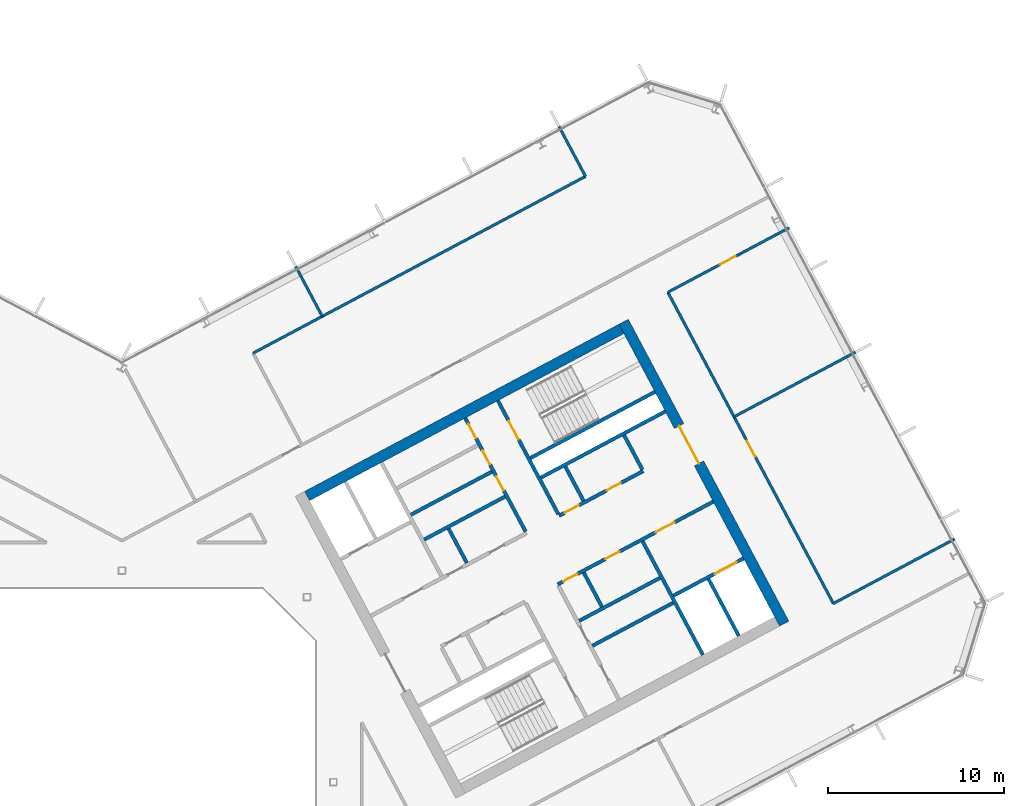
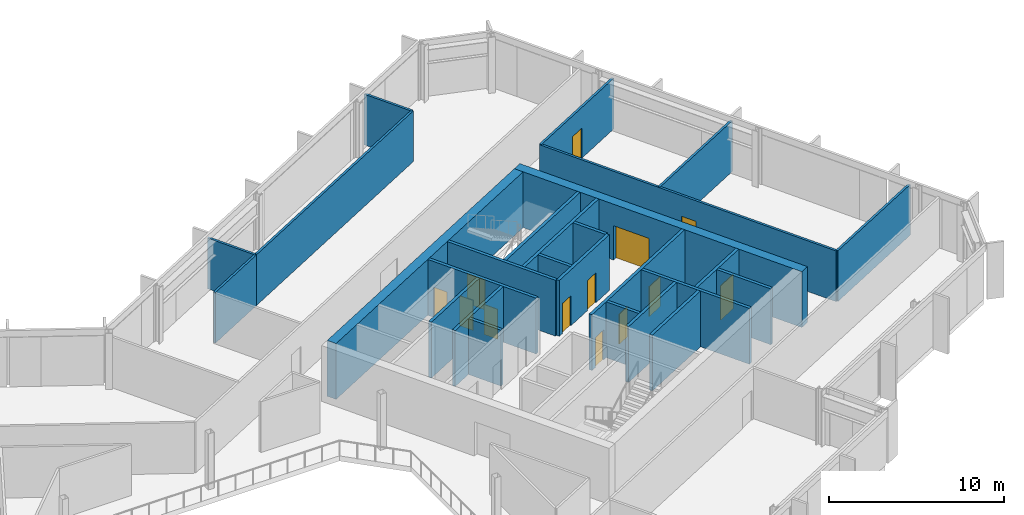
# One storey, part 17 of 27: 27 walls, 13 doors, 13 openings.
"""IFC4 building model written with IfcOpenShell, lengths in metres."""

from ifc_helpers import new_model, si_unit, direction, frame, frame_2d, origin, place, context, subcontext, project, spatial, rectangle, extrude, material, layer, layer_set, type_object, element, fill, save


model = new_model("IFC4")

# Units and contexts
model_context = context("Model", 3, precision=1e-05, world=origin(), true_north=direction((0.0, 1.0)))
body_context = subcontext(model_context, "Body", "Model", "MODEL_VIEW")
ifc_project = project(units=[si_unit("LENGTHUNIT", "METRE"), si_unit("AREAUNIT", "SQUARE_METRE"), si_unit("VOLUMEUNIT", "CUBIC_METRE"), si_unit("PLANEANGLEUNIT", "RADIAN"), si_unit("MASSUNIT", "GRAM", prefix="KILO")], contexts=[model_context])

# Site, building, storey
site_placement = place(None, origin())
site = spatial("IfcSite", under=ifc_project, at=site_placement, CompositionType="ELEMENT")
building_placement = place(site_placement, origin())
building = spatial("IfcBuilding", under=site, at=building_placement, Name="Cormorant Relay Tower", CompositionType="ELEMENT")
storey_placement = place(building_placement, frame((0.0, 0.0, 216.89990234375)))
storey = spatial("IfcBuildingStorey", under=building, at=storey_placement, Name="L47", CompositionType="ELEMENT", Elevation=216.89990234375)

# Walls
ifc_material_1 = material(Name="Concrete 40 MPa", Category="concrete")
ifc_layer_1 = layer(ifc_material_1, 0.199951171875)
ifc_layer_set_1 = layer_set([ifc_layer_1], Name="Core internal wall 200")
wall_type_1 = type_object("IfcWallType", Name="Core internal wall 200", PredefinedType="SOLIDWALL", material=ifc_layer_set_1)
for number, where, z_axis, x_axis, name in (
    (1, (19.568603515625, 12.443603515625, 0.0), (0.0, 0.0, 1.0), (-0.4694473164, 0.882960484464, 0.0), "L47 core B shaft and room wall"),
    (2, (27.236083984375, 9.951416015625, 0.0), (0.0, 0.0, 1.0), (-0.4694473164, 0.882960484464, 0.0), "L47 core B shaft and room wall"),
    (3, (26.19091796875, 15.964599609375, 0.0), (0.0, 0.0, 1.0), (-0.469533832133, 0.882914480843, 0.0), "L47 core B shaft and room wall"),
):
    element("IfcWall", number, at=place(storey_placement, frame(where, z_axis=z_axis, x_axis=x_axis)), inside=storey, type_object=wall_type_1, Name=name, PredefinedType="SOLIDWALL", context=body_context, shape_type="SweptSolid", body=[
        extrude(rectangle(XDim=2.199951171875, YDim=0.199951171875, at=frame_2d((1.10009765625, 0.0))), origin(), (0.0, 0.0, 1.0), 3.900146484375),
    ])
for number, where, z_axis, x_axis, name in (
    (4, (26.692138671875, 7.73681640625, 0.0), (0.0, 0.0, 1.0), (0.882953967957, 0.469459572775, 0.0), "L47 core B shaft and room wall"),
    (5, (16.395751953125, 15.17333984375, 0.0), (0.0, 0.0, 1.0), (0.882934506056, 0.469496174655, 0.0), "L47 core B shaft and room wall"),
):
    element("IfcWall", number, at=place(storey_placement, frame(where, z_axis=z_axis, x_axis=x_axis)), inside=storey, type_object=wall_type_1, Name=name, PredefinedType="SOLIDWALL", context=body_context, shape_type="SweptSolid", body=[
        extrude(rectangle(XDim=5.199951171875, YDim=0.199951171875, at=frame_2d((2.60009765625, 0.0))), origin(), (0.0, 0.0, 1.0), 3.900146484375),
    ])

# Wall, openings, doors
ifc_material_2 = material(Name="Concrete 50 MPa", Category="concrete")
ifc_layer_2 = layer(ifc_material_2, 0.199951171875)
ifc_layer_set_2 = layer_set([ifc_layer_2], Name="Core shaft wall 200")
wall_type_2 = type_object("IfcWallType", Name="Core shaft wall 200", PredefinedType="SHEAR", material=ifc_layer_set_2)
wall_1_placement = place(storey_placement, frame((22.90625, 14.218017578125, 0.0), z_axis=(0.0, 0.0, 1.0), x_axis=(-0.469480409012, 0.88294288918, 0.0)))
wall_1 = element("IfcWall", 6, at=wall_1_placement, inside=storey, type_object=wall_type_2, Name="L47 core B shaft wall", PredefinedType="SHEAR", context=body_context, shape_type="SweptSolid", body=[
    extrude(rectangle(XDim=7.300048828125, YDim=0.199951171875, at=frame_2d((3.64990234375, 0.0))), origin(), (0.0, 0.0, 1.0), 3.900146484375),
])
opening_1_placement = place(wall_1_placement, frame((2.64990234375, 0.0, 0.0)))
opening_1 = element("IfcOpeningElement", 7, at=opening_1_placement, cuts=wall_1, Name="Opening CDD-274", PredefinedType="OPENING", context=body_context, shape_type="SweptSolid", body=[
    extrude(rectangle(XDim=0.89990234375, YDim=2.10009765625, at=frame_2d((0.449951171875, 1.050048828125))), frame((0.0, 0.10986328125, 0.0), z_axis=(0.0, -1.0, 0.0), x_axis=(1.0, 0.0, 0.0)), (0.0, 0.0, 1.0), 0.219970703125),
])
opening_2_placement = place(wall_1_placement, frame((4.300048828125, 0.0, 0.0)))
opening_2 = element("IfcOpeningElement", 8, at=opening_2_placement, cuts=wall_1, Name="Opening CDD-275", PredefinedType="OPENING", context=body_context, shape_type="SweptSolid", body=[
    extrude(rectangle(XDim=0.89990234375, YDim=2.10009765625, at=frame_2d((0.449951171875, 1.050048828125))), frame((0.0, 0.10986328125, 0.0), z_axis=(0.0, -1.0, 0.0), x_axis=(1.0, 0.0, 0.0)), (0.0, 0.0, 1.0), 0.219970703125),
])
opening_3_placement = place(wall_1_placement, frame((6.0, 0.0, 0.0)))
opening_3 = element("IfcOpeningElement", 9, at=opening_3_placement, cuts=wall_1, Name="Opening CDD-276", PredefinedType="OPENING", context=body_context, shape_type="SweptSolid", body=[
    extrude(rectangle(XDim=0.89990234375, YDim=2.10009765625, at=frame_2d((0.449951171875, 1.050048828125))), frame((0.0, 0.10986328125, 0.0), z_axis=(0.0, -1.0, 0.0), x_axis=(1.0, 0.0, 0.0)), (0.0, 0.0, 1.0), 0.219970703125),
])
ifc_material_3 = material(Name="Steel fire door", Category="steel")
door_type_1 = type_object("IfcDoorType", Name="Core room door 900x2100", OperationType="SINGLE_SWING_LEFT", PredefinedType="DOOR", material=ifc_material_3)
door_1_placement = place(opening_1_placement, frame((0.89990234375, 0.0, 0.0), z_axis=(0.0, 0.0, 1.0), x_axis=(-1.0, 0.0, 0.0)))
door_1 = element("IfcDoor", 10, at=door_1_placement, inside=storey, type_object=door_type_1, Name="Core room door 900x2100", OperationType="SINGLE_SWING_LEFT", OverallHeight=2.10009765625, OverallWidth=0.89990234375, PredefinedType="DOOR", context=body_context, shape_type="SweptSolid", body=[
    extrude(rectangle(XDim=0.89990234375, YDim=2.10009765625, at=frame_2d((0.449951171875, 1.050048828125))), frame((0.0, 0.02490234375, 0.0), z_axis=(0.0, -1.0, 0.0), x_axis=(1.0, 0.0, 0.0)), (0.0, 0.0, 1.0), 0.050048828125),
])
fill(opening_1, door_1)
door_2_placement = place(opening_2_placement, frame((0.89990234375, 0.0, 0.0), z_axis=(0.0, 0.0, 1.0), x_axis=(-1.0, 0.0, 0.0)))
door_2 = element("IfcDoor", 11, at=door_2_placement, inside=storey, type_object=door_type_1, Name="Core room door 900x2100", OperationType="SINGLE_SWING_RIGHT", OverallHeight=2.10009765625, OverallWidth=0.89990234375, PredefinedType="DOOR", context=body_context, shape_type="SweptSolid", body=[
    extrude(rectangle(XDim=0.89990234375, YDim=2.10009765625, at=frame_2d((0.449951171875, 1.050048828125))), frame((0.0, 0.02490234375, 0.0), z_axis=(0.0, -1.0, 0.0), x_axis=(1.0, 0.0, 0.0)), (0.0, 0.0, 1.0), 0.050048828125),
])
fill(opening_2, door_2)
door_3_placement = place(opening_3_placement, frame((0.89990234375, 0.0, 0.0), z_axis=(0.0, 0.0, 1.0), x_axis=(-1.0, 0.0, 0.0)))
door_3 = element("IfcDoor", 12, at=door_3_placement, inside=storey, type_object=door_type_1, Name="Core room door 900x2100", OperationType="SINGLE_SWING_LEFT", OverallHeight=2.10009765625, OverallWidth=0.89990234375, PredefinedType="DOOR", context=body_context, shape_type="SweptSolid", body=[
    extrude(rectangle(XDim=0.89990234375, YDim=2.10009765625, at=frame_2d((0.449951171875, 1.050048828125))), frame((0.0, 0.02490234375, 0.0), z_axis=(0.0, -1.0, 0.0), x_axis=(1.0, 0.0, 0.0)), (0.0, 0.0, 1.0), 0.050048828125),
])
fill(opening_3, door_3)

# Wall, opening, door
wall_2_placement = place(storey_placement, frame((24.760498046875, 15.2041015625, 0.0), z_axis=(0.0, 0.0, 1.0), x_axis=(-0.469494272526, 0.882935517501, 0.0)))
wall_2 = element("IfcWall", 13, at=wall_2_placement, inside=storey, type_object=wall_type_2, Name="L47 core B shaft wall", PredefinedType="SHEAR", context=body_context, shape_type="SweptSolid", body=[
    extrude(rectangle(XDim=7.2998046875, YDim=0.199951171875, at=frame_2d((3.64990234375, 0.0))), origin(), (0.0, 0.0, 1.0), 3.900146484375),
])
opening_4_placement = place(wall_2_placement, frame((4.800048828125, 0.0, 0.0)))
opening_4 = element("IfcOpeningElement", 14, at=opening_4_placement, cuts=wall_2, Name="Opening CDB-041", PredefinedType="OPENING", context=body_context, shape_type="SweptSolid", body=[
    extrude(rectangle(XDim=1.199951171875, YDim=2.10009765625, at=frame_2d((0.60009765625, 1.050048828125))), frame((0.0, 0.10986328125, 0.0), z_axis=(0.0, -1.0, 0.0), x_axis=(1.0, 0.0, 0.0)), (0.0, 0.0, 1.0), 0.219970703125),
])
ifc_material_4 = material(Name="Steel fire door", Category="steel")
door_type_2 = type_object("IfcDoorType", Name="Core stair door 1200x2100", OperationType="SINGLE_SWING_LEFT", PredefinedType="DOOR", material=ifc_material_4)
door_4_placement = place(opening_4_placement, frame((1.199951171875, 0.0, 0.0), z_axis=(0.0, 0.0, 1.0), x_axis=(-1.0, 0.0, 0.0)))
door_4 = element("IfcDoor", 15, at=door_4_placement, inside=storey, type_object=door_type_2, Name="Core stair door 1200x2100", OperationType="SINGLE_SWING_RIGHT", OverallHeight=2.10009765625, OverallWidth=1.199951171875, PredefinedType="DOOR", context=body_context, shape_type="SweptSolid", body=[
    extrude(rectangle(XDim=1.199951171875, YDim=2.10009765625, at=frame_2d((0.60009765625, 1.050048828125))), frame((0.0, 0.02490234375, 0.0), z_axis=(0.0, -1.0, 0.0), x_axis=(1.0, 0.0, 0.0)), (0.0, 0.0, 1.0), 0.050048828125),
])
fill(opening_4, door_4)

# Walls
wall_3_placement = place(storey_placement, frame((32.968017578125, 7.222900390625, 0.0), z_axis=(0.0, 0.0, 1.0), x_axis=(-0.469480409012, 0.88294288918, 0.0)))
element("IfcWall", 16, at=wall_3_placement, inside=storey, type_object=wall_type_2, Name="L47 core B shaft wall", PredefinedType="SHEAR", context=body_context, shape_type="SweptSolid", body=[
    extrude(rectangle(XDim=7.300048828125, YDim=0.199951171875, at=frame_2d((3.64990234375, 0.0))), origin(), (0.0, 0.0, 1.0), 3.900146484375),
])
wall_4_placement = place(storey_placement, frame((29.5283203125, 17.739013671875, 0.0), z_axis=(0.0, 0.0, 1.0), x_axis=(-0.469401318492, 0.882984938828, 0.0)))
element("IfcWall", 17, at=wall_4_placement, inside=storey, type_object=wall_type_2, Name="L47 core B shaft wall", PredefinedType="SHEAR", context=body_context, shape_type="SweptSolid", body=[
    extrude(rectangle(XDim=2.199951171875, YDim=0.199951171875, at=frame_2d((1.10009765625, 0.0))), origin(), (0.0, 0.0, 1.0), 3.900146484375),
])
wall_5_placement = place(storey_placement, frame((34.998779296875, 8.302734375, 0.0), z_axis=(0.0, 0.0, 1.0), x_axis=(-0.4694665462, 0.882950260207, 0.0)))
element("IfcWall", 18, at=wall_5_placement, inside=storey, type_object=wall_type_2, Name="L47 core B shaft wall", PredefinedType="SHEAR", context=body_context, shape_type="SweptSolid", body=[
    extrude(rectangle(XDim=3.650146484375, YDim=0.199951171875, at=frame_2d((1.8251953125, 0.0))), origin(), (0.0, 0.0, 1.0), 3.900146484375),
])

# Wall, opening, door
wall_6_placement = place(storey_placement, frame((31.295654296875, 10.5810546875, 0.0), z_axis=(0.0, 0.0, 1.0), x_axis=(0.882960433586, 0.469447412093, 0.0)))
wall_6 = element("IfcWall", 19, at=wall_6_placement, inside=storey, type_object=wall_type_2, Name="L47 core B shaft wall", PredefinedType="SHEAR", context=body_context, shape_type="SweptSolid", body=[
    extrude(rectangle(XDim=4.5, YDim=0.199951171875, at=frame_2d((2.25, 0.0))), origin(), (0.0, 0.0, 1.0), 3.900146484375),
])
opening_5_placement = place(wall_6_placement, frame((2.64990234375, 0.0, 0.0)))
opening_5 = element("IfcOpeningElement", 20, at=opening_5_placement, cuts=wall_6, Name="Opening LD3-016", PredefinedType="OPENING", context=body_context, shape_type="SweptSolid", body=[
    extrude(rectangle(XDim=1.39990234375, YDim=2.39990234375, at=frame_2d((0.699951171875, 1.199951171875))), frame((0.0, 0.10986328125, 0.0), z_axis=(0.0, -1.0, 0.0), x_axis=(1.0, 0.0, 0.0)), (0.0, 0.0, 1.0), 0.219970703125),
])
ifc_material_5 = material(Name="Stainless steel 316", Category="steel")
door_type_3 = type_object("IfcDoorType", Name="Lift landing door 1400x2400", OperationType="DOUBLE_DOOR_SLIDING", PredefinedType="DOOR", material=ifc_material_5)
door_5_placement = place(opening_5_placement, origin())
door_5 = element("IfcDoor", 21, at=door_5_placement, inside=storey, type_object=door_type_3, Name="SV2 landing door", OperationType="DOUBLE_DOOR_SLIDING", OverallHeight=2.39990234375, OverallWidth=1.39990234375, PredefinedType="DOOR", context=body_context, shape_type="SweptSolid", body=[
    extrude(rectangle(XDim=1.39990234375, YDim=2.39990234375, at=frame_2d((0.699951171875, 1.199951171875))), frame((0.0, 0.02490234375, 0.0), z_axis=(0.0, -1.0, 0.0), x_axis=(1.0, 0.0, 0.0)), (0.0, 0.0, 1.0), 0.050048828125),
])
fill(opening_5, door_5)

# Wall
wall_7_placement = place(storey_placement, frame((25.94091796875, 9.149658203125, 0.0), z_axis=(0.0, 0.0, 1.0), x_axis=(0.882953967957, 0.469459572775, 0.0)))
element("IfcWall", 22, at=wall_7_placement, inside=storey, type_object=wall_type_2, Name="L47 core B shaft wall", PredefinedType="SHEAR", context=body_context, shape_type="SweptSolid", body=[
    extrude(rectangle(XDim=5.199951171875, YDim=0.199951171875, at=frame_2d((2.60009765625, 0.0))), origin(), (0.0, 0.0, 1.0), 3.900146484375),
])

# Wall, openings, doors
wall_8_placement = place(storey_placement, frame((24.72607421875, 11.2216796875, 0.0), z_axis=(0.0, 0.0, 1.0), x_axis=(0.882940221191, 0.469485426614, 0.0)))
wall_8 = element("IfcWall", 23, at=wall_8_placement, inside=storey, type_object=wall_type_2, Name="L47 core B shaft wall", PredefinedType="SHEAR", context=body_context, shape_type="SweptSolid", body=[
    extrude(rectangle(XDim=10.0, YDim=0.199951171875, at=frame_2d((5.0, 0.0))), origin(), (0.0, 0.0, 1.0), 3.900146484375),
])
opening_6_placement = place(wall_8_placement, frame((6.300048828125, 0.0, 0.0)))
opening_6 = element("IfcOpeningElement", 24, at=opening_6_placement, cuts=wall_8, Name="Opening CDC-036", PredefinedType="OPENING", context=body_context, shape_type="SweptSolid", body=[
    extrude(rectangle(XDim=1.199951171875, YDim=2.10009765625, at=frame_2d((0.60009765625, 1.050048828125))), frame((0.0, 0.10986328125, 0.0), z_axis=(0.0, -1.0, 0.0), x_axis=(1.0, 0.0, 0.0)), (0.0, 0.0, 1.0), 0.219970703125),
])
opening_7_placement = place(wall_8_placement, frame((0.360107421875, 0.0, 0.0)))
opening_7 = element("IfcOpeningElement", 25, at=opening_7_placement, cuts=wall_8, Name="Opening CDD-247", PredefinedType="OPENING", context=body_context, shape_type="SweptSolid", body=[
    extrude(rectangle(XDim=0.89990234375, YDim=2.10009765625, at=frame_2d((0.449951171875, 1.050048828125))), frame((0.0, 0.10986328125, 0.0), z_axis=(0.0, -1.0, 0.0), x_axis=(1.0, 0.0, 0.0)), (0.0, 0.0, 1.0), 0.219970703125),
])
opening_8_placement = place(wall_8_placement, frame((3.06005859375, 0.0, 0.0)))
opening_8 = element("IfcOpeningElement", 26, at=opening_8_placement, cuts=wall_8, Name="Opening CDD-248", PredefinedType="OPENING", context=body_context, shape_type="SweptSolid", body=[
    extrude(rectangle(XDim=0.89990234375, YDim=2.10009765625, at=frame_2d((0.449951171875, 1.050048828125))), frame((0.0, 0.10986328125, 0.0), z_axis=(0.0, -1.0, 0.0), x_axis=(1.0, 0.0, 0.0)), (0.0, 0.0, 1.0), 0.219970703125),
])
ifc_material_6 = material(Name="Steel fire door", Category="steel")
door_type_4 = type_object("IfcDoorType", Name="Core lobby door 1200x2100", OperationType="SINGLE_SWING_LEFT", PredefinedType="DOOR", material=ifc_material_6)
door_6_placement = place(opening_6_placement, frame((1.199951171875, 0.0, 0.0), z_axis=(0.0, 0.0, 1.0), x_axis=(-1.0, 0.0, 0.0)))
door_6 = element("IfcDoor", 27, at=door_6_placement, inside=storey, type_object=door_type_4, Name="Core lobby door 1200x2100", OperationType="SINGLE_SWING_RIGHT", OverallHeight=2.10009765625, OverallWidth=1.199951171875, PredefinedType="DOOR", context=body_context, shape_type="SweptSolid", body=[
    extrude(rectangle(XDim=1.199951171875, YDim=2.10009765625, at=frame_2d((0.60009765625, 1.050048828125))), frame((0.0, 0.02490234375, 0.0), z_axis=(0.0, -1.0, 0.0), x_axis=(1.0, 0.0, 0.0)), (0.0, 0.0, 1.0), 0.050048828125),
])
fill(opening_6, door_6)
door_7_placement = place(opening_7_placement, frame((0.89990234375, 0.0, 0.0), z_axis=(0.0, 0.0, 1.0), x_axis=(-1.0, 0.0, 0.0)))
door_7 = element("IfcDoor", 28, at=door_7_placement, inside=storey, type_object=door_type_1, Name="Core room door 900x2100", OperationType="SINGLE_SWING_RIGHT", OverallHeight=2.10009765625, OverallWidth=0.89990234375, PredefinedType="DOOR", context=body_context, shape_type="SweptSolid", body=[
    extrude(rectangle(XDim=0.89990234375, YDim=2.10009765625, at=frame_2d((0.449951171875, 1.050048828125))), frame((0.0, 0.02490234375, 0.0), z_axis=(0.0, -1.0, 0.0), x_axis=(1.0, 0.0, 0.0)), (0.0, 0.0, 1.0), 0.050048828125),
])
fill(opening_7, door_7)
door_8_placement = place(opening_8_placement, frame((0.89990234375, 0.0, 0.0), z_axis=(0.0, 0.0, 1.0), x_axis=(-1.0, 0.0, 0.0)))
door_8 = element("IfcDoor", 29, at=door_8_placement, inside=storey, type_object=door_type_1, Name="Core room door 900x2100", OperationType="SINGLE_SWING_RIGHT", OverallHeight=2.10009765625, OverallWidth=0.89990234375, PredefinedType="DOOR", context=body_context, shape_type="SweptSolid", body=[
    extrude(rectangle(XDim=0.89990234375, YDim=2.10009765625, at=frame_2d((0.449951171875, 1.050048828125))), frame((0.0, 0.02490234375, 0.0), z_axis=(0.0, -1.0, 0.0), x_axis=(1.0, 0.0, 0.0)), (0.0, 0.0, 1.0), 0.050048828125),
])
fill(opening_8, door_8)

wall_9_placement = place(storey_placement, frame((24.807373046875, 15.11572265625, 0.0), z_axis=(0.0, 0.0, 1.0), x_axis=(0.882942972946, 0.469480251476, 0.0)))
wall_9 = element("IfcWall", 30, at=wall_9_placement, inside=storey, type_object=wall_type_2, Name="L47 core B shaft wall", PredefinedType="SHEAR", context=body_context, shape_type="SweptSolid", body=[
    extrude(rectangle(XDim=5.39990234375, YDim=0.199951171875, at=frame_2d((2.699951171875, 0.0))), origin(), (0.0, 0.0, 1.0), 3.900146484375),
])
opening_9_placement = place(wall_9_placement, frame((0.360107421875, 0.0, 0.0)))
opening_9 = element("IfcOpeningElement", 31, at=opening_9_placement, cuts=wall_9, Name="Opening CDD-273", PredefinedType="OPENING", context=body_context, shape_type="SweptSolid", body=[
    extrude(rectangle(XDim=0.89990234375, YDim=2.10009765625, at=frame_2d((0.449951171875, 1.050048828125))), frame((0.0, 0.10986328125, 0.0), z_axis=(0.0, -1.0, 0.0), x_axis=(1.0, 0.0, 0.0)), (0.0, 0.0, 1.0), 0.219970703125),
])
opening_10_placement = place(wall_9_placement, frame((3.06005859375, 0.0, 0.0)))
opening_10 = element("IfcOpeningElement", 32, at=opening_10_placement, cuts=wall_9, Name="Opening CDD-244", PredefinedType="OPENING", context=body_context, shape_type="SweptSolid", body=[
    extrude(rectangle(XDim=0.89990234375, YDim=2.10009765625, at=frame_2d((0.449951171875, 1.050048828125))), frame((0.0, 0.10986328125, 0.0), z_axis=(0.0, -1.0, 0.0), x_axis=(1.0, 0.0, 0.0)), (0.0, 0.0, 1.0), 0.219970703125),
])
door_9_placement = place(opening_9_placement, frame((0.89990234375, 0.0, 0.0), z_axis=(0.0, 0.0, 1.0), x_axis=(-1.0, 0.0, 0.0)))
door_9 = element("IfcDoor", 33, at=door_9_placement, inside=storey, type_object=door_type_1, Name="Core room door 900x2100", OperationType="SINGLE_SWING_RIGHT", OverallHeight=2.10009765625, OverallWidth=0.89990234375, PredefinedType="DOOR", context=body_context, shape_type="SweptSolid", body=[
    extrude(rectangle(XDim=0.89990234375, YDim=2.10009765625, at=frame_2d((0.449951171875, 1.050048828125))), frame((0.0, 0.02490234375, 0.0), z_axis=(0.0, -1.0, 0.0), x_axis=(1.0, 0.0, 0.0)), (0.0, 0.0, 1.0), 0.050048828125),
])
fill(opening_9, door_9)
door_10_placement = place(opening_10_placement, frame((0.89990234375, 0.0, 0.0), z_axis=(0.0, 0.0, 1.0), x_axis=(-1.0, 0.0, 0.0)))
door_10 = element("IfcDoor", 34, at=door_10_placement, inside=storey, type_object=door_type_1, Name="Core room door 900x2100", OperationType="SINGLE_SWING_RIGHT", OverallHeight=2.10009765625, OverallWidth=0.89990234375, PredefinedType="DOOR", context=body_context, shape_type="SweptSolid", body=[
    extrude(rectangle(XDim=0.89990234375, YDim=2.10009765625, at=frame_2d((0.449951171875, 1.050048828125))), frame((0.0, 0.02490234375, 0.0), z_axis=(0.0, -1.0, 0.0), x_axis=(1.0, 0.0, 0.0)), (0.0, 0.0, 1.0), 0.050048828125),
])
fill(opening_10, door_10)

# Walls
wall_10_placement = place(storey_placement, frame((17.146728515625, 13.7607421875, 0.0), z_axis=(0.0, 0.0, 1.0), x_axis=(0.882964314875, 0.469440111896, 0.0)))
element("IfcWall", 35, at=wall_10_placement, inside=storey, type_object=wall_type_2, Name="L47 core B shaft wall", PredefinedType="SHEAR", context=body_context, shape_type="SweptSolid", body=[
    extrude(rectangle(XDim=5.2001953125, YDim=0.199951171875, at=frame_2d((2.60009765625, 0.0))), origin(), (0.0, 0.0, 1.0), 3.900146484375),
])
wall_11_placement = place(storey_placement, frame((23.76904296875, 17.28173828125, 0.0), z_axis=(0.0, 0.0, 1.0), x_axis=(0.882940221191, 0.469485426614, 0.0)))
element("IfcWall", 36, at=wall_11_placement, inside=storey, type_object=wall_type_2, Name="L47 core B shaft wall", PredefinedType="SHEAR", context=body_context, shape_type="SweptSolid", body=[
    extrude(rectangle(XDim=8.0, YDim=0.199951171875, at=frame_2d((4.0, 0.0))), origin(), (0.0, 0.0, 1.0), 3.900146484375),
])
wall_12_placement = place(storey_placement, frame((23.18212890625, 18.385498046875, 0.0), z_axis=(0.0, 0.0, 1.0), x_axis=(0.88295287151, 0.469461634952, 0.0)))
element("IfcWall", 37, at=wall_12_placement, inside=storey, type_object=wall_type_2, Name="L47 core B shaft wall", PredefinedType="SHEAR", context=body_context, shape_type="SweptSolid", body=[
    extrude(rectangle(XDim=7.999755859375, YDim=0.199951171875, at=frame_2d((4.0, 0.0))), origin(), (0.0, 0.0, 1.0), 3.900146484375),
])

# Wall, opening, door
ifc_material_7 = material(Name="Concrete 50 MPa", Category="concrete")
ifc_layer_3 = layer(ifc_material_7, 0.60009765625)
ifc_layer_set_3 = layer_set([ifc_layer_3], Name="Core wall 600")
wall_type_3 = type_object("IfcWallType", Name="Core wall 600", PredefinedType="SHEAR", material=ifc_layer_set_3)
wall_13_placement = place(storey_placement, frame((37.576171875, 8.99365234375, 0.0), z_axis=(0.0, 0.0, 1.0), x_axis=(-0.469478769487, 0.88294376095, 0.0)))
wall_13 = element("IfcWall", 38, at=wall_13_placement, inside=storey, type_object=wall_type_3, Name="L47 core B wall", PredefinedType="SHEAR", context=body_context, shape_type="SweptSolid", body=[
    extrude(rectangle(XDim=19.400146484375, YDim=0.60009765625, at=frame_2d((9.7001953125, 0.0))), origin(), (0.0, 0.0, 1.0), 3.900146484375),
])
opening_11_placement = place(wall_13_placement, frame((10.300048828125, 0.0, 0.0)))
opening_11 = element("IfcOpeningElement", 39, at=opening_11_placement, cuts=wall_13, Name="Opening CDA-043", PredefinedType="OPENING", context=body_context, shape_type="SweptSolid", body=[
    extrude(rectangle(XDim=2.39990234375, YDim=2.39990234375, at=frame_2d((1.199951171875, 1.199951171875))), frame((0.0, 0.31005859375, 0.0), z_axis=(0.0, -1.0, 0.0), x_axis=(1.0, 0.0, 0.0)), (0.0, 0.0, 1.0), 0.6201171875),
])
ifc_material_8 = material(Name="Steel fire door", Category="steel")
door_type_5 = type_object("IfcDoorType", Name="Core lobby door 2400x2400", OperationType="DOUBLE_DOOR_SINGLE_SWING", PredefinedType="DOOR", material=ifc_material_8)
door_11_placement = place(opening_11_placement, origin())
door_11 = element("IfcDoor", 40, at=door_11_placement, inside=storey, type_object=door_type_5, Name="Core lobby door 2400x2400", OperationType="DOUBLE_DOOR_SINGLE_SWING", OverallHeight=2.39990234375, OverallWidth=2.39990234375, PredefinedType="DOOR", context=body_context, shape_type="SweptSolid", body=[
    extrude(rectangle(XDim=2.39990234375, YDim=2.39990234375, at=frame_2d((1.199951171875, 1.199951171875))), frame((0.0, 0.02490234375, 0.0), z_axis=(0.0, -1.0, 0.0), x_axis=(1.0, 0.0, 0.0)), (0.0, 0.0, 1.0), 0.050048828125),
])
fill(opening_11, door_11)

# Wall
wall_14_placement = place(storey_placement, frame((10.5087890625, 16.23388671875, 0.0), z_axis=(0.0, 0.0, 1.0), x_axis=(0.88295010195, 0.469466843842, 0.0)))
element("IfcWall", 41, at=wall_14_placement, inside=storey, type_object=wall_type_3, Name="L47 core B wall", PredefinedType="SHEAR", context=body_context, shape_type="SweptSolid", body=[
    extrude(rectangle(XDim=20.199951171875, YDim=0.60009765625, at=frame_2d((10.10009765625, 0.0))), origin(), (0.0, 0.0, 1.0), 3.900146484375),
])

# Wall, opening, door
ifc_material_9 = material(Name="Gypsum board fire partition")
ifc_layer_4 = layer(ifc_material_9, 0.14990234375)
ifc_layer_set_4 = layer_set([ifc_layer_4], Name="Corridor partition 150 EI 60")
wall_type_4 = type_object("IfcWallType", Name="Corridor partition 150 EI 60", PredefinedType="PARTITIONING", material=ifc_layer_set_4)
wall_15_placement = place(storey_placement, frame((37.864013671875, 31.4580078125, 0.0), z_axis=(0.0, 0.0, 1.0), x_axis=(-0.882962098673, -0.4694442803, 0.0)))
wall_15 = element("IfcWall", 42, at=wall_15_placement, inside=storey, type_object=wall_type_4, Name="wall/L47/part/039", PredefinedType="PARTITIONING", context=body_context, shape_type="SweptSolid", body=[
    extrude(rectangle(XDim=7.801025390625, YDim=0.14990234375, at=frame_2d((3.900390625, 0.0))), origin(), (0.0, 0.0, 1.0), 3.5400390625),
])
opening_12_placement = place(wall_15_placement, frame((3.449951171875, 0.0, 0.0)))
opening_12 = element("IfcOpeningElement", 43, at=opening_12_placement, cuts=wall_15, Name="Opening DS-151", PredefinedType="OPENING", context=body_context, shape_type="SweptSolid", body=[
    extrude(rectangle(XDim=1.0, YDim=2.10009765625, at=frame_2d((0.5, 1.050048828125))), frame((0.0, 0.0849609375, 0.0), z_axis=(0.0, -1.0, 0.0), x_axis=(1.0, 0.0, 0.0)), (0.0, 0.0, 1.0), 0.169921875),
])
ifc_material_10 = material(Name="Timber door leaf", Category="wood")
door_type_6 = type_object("IfcDoorType", Name="Suite door 1000x2100", OperationType="SINGLE_SWING_LEFT", PredefinedType="DOOR", material=ifc_material_10)
door_12_placement = place(opening_12_placement, origin())
door_12 = element("IfcDoor", 44, at=door_12_placement, inside=storey, type_object=door_type_6, Name="door/L47/017", OperationType="SINGLE_SWING_RIGHT", OverallHeight=2.10009765625, OverallWidth=1.0, PredefinedType="DOOR", context=body_context, shape_type="SweptSolid", body=[
    extrude(rectangle(XDim=1.0, YDim=2.10009765625, at=frame_2d((0.5, 1.050048828125))), frame((0.0, 0.02490234375, 0.0), z_axis=(0.0, -1.0, 0.0), x_axis=(1.0, 0.0, 0.0)), (0.0, 0.0, 1.0), 0.050048828125),
])
fill(opening_12, door_12)

wall_16_placement = place(storey_placement, frame((30.97607421875, 27.7958984375, 0.0), z_axis=(0.0, 0.0, 1.0), x_axis=(0.469489882812, -0.882937851685, 0.0)))
wall_16 = element("IfcWall", 45, at=wall_16_placement, inside=storey, type_object=wall_type_4, Name="wall/L47/part/040", PredefinedType="PARTITIONING", context=body_context, shape_type="SweptSolid", body=[
    extrude(rectangle(XDim=20.000244140625, YDim=0.14990234375, at=frame_2d((10.0, 0.0))), origin(), (0.0, 0.0, 1.0), 3.5400390625),
])
opening_13_placement = place(wall_16_placement, frame((9.550048828125, 0.0, 0.0)))
opening_13 = element("IfcOpeningElement", 46, at=opening_13_placement, cuts=wall_16, Name="Opening DS-150", PredefinedType="OPENING", context=body_context, shape_type="SweptSolid", body=[
    extrude(rectangle(XDim=1.0, YDim=2.10009765625, at=frame_2d((0.5, 1.050048828125))), frame((0.0, 0.0849609375, 0.0), z_axis=(0.0, -1.0, 0.0), x_axis=(1.0, 0.0, 0.0)), (0.0, 0.0, 1.0), 0.169921875),
])
door_13_placement = place(opening_13_placement, origin())
door_13 = element("IfcDoor", 47, at=door_13_placement, inside=storey, type_object=door_type_6, Name="door/L47/016", OperationType="SINGLE_SWING_LEFT", OverallHeight=2.10009765625, OverallWidth=1.0, PredefinedType="DOOR", context=body_context, shape_type="SweptSolid", body=[
    extrude(rectangle(XDim=1.0, YDim=2.10009765625, at=frame_2d((0.5, 1.050048828125))), frame((0.0, 0.02490234375, 0.0), z_axis=(0.0, -1.0, 0.0), x_axis=(1.0, 0.0, 0.0)), (0.0, 0.0, 1.0), 0.050048828125),
])
fill(opening_13, door_13)

# Walls
wall_17_placement = place(storey_placement, frame((40.365966796875, 10.136962890625, 0.0), z_axis=(0.0, 0.0, 1.0), x_axis=(0.882934506056, 0.469496174655, 0.0)))
element("IfcWall", 48, at=wall_17_placement, inside=storey, type_object=wall_type_4, Name="wall/L47/part/041", PredefinedType="PARTITIONING", context=body_context, shape_type="SweptSolid", body=[
    extrude(rectangle(XDim=7.800048828125, YDim=0.14990234375, at=frame_2d((3.89990234375, 0.0))), origin(), (0.0, 0.0, 1.0), 3.5400390625),
])
ifc_material_11 = material(Name="Gypsum board partition")
ifc_layer_5 = layer(ifc_material_11, 0.14990234375)
ifc_layer_set_5 = layer_set([ifc_layer_5], Name="Tenant partition 150")
wall_type_5 = type_object("IfcWallType", Name="Tenant partition 150", PredefinedType="PARTITIONING", material=ifc_layer_set_5)
wall_18_placement = place(storey_placement, frame((9.864013671875, 29.2548828125, 0.0), z_axis=(0.0, 0.0, 1.0), x_axis=(0.469447181805, -0.882960556025, 0.0)))
element("IfcWall", 49, at=wall_18_placement, inside=storey, type_object=wall_type_5, Name="wall/L47/part/031", PredefinedType="PARTITIONING", context=body_context, shape_type="SweptSolid", body=[
    extrude(rectangle(XDim=3.199462890625, YDim=0.14990234375, at=frame_2d((1.599609375, 0.0))), origin(), (0.0, 0.0, 1.0), 3.5400390625),
])
wall_19_placement = place(storey_placement, frame((11.35498046875, 26.424072265625, 0.0), z_axis=(0.0, 0.0, 1.0), x_axis=(-0.882846627183, -0.469661402366, 0.0)))
element("IfcWall", 50, at=wall_19_placement, inside=storey, type_object=wall_type_5, Name="wall/L47/part/032", PredefinedType="PARTITIONING", context=body_context, shape_type="SweptSolid", body=[
    extrude(rectangle(XDim=4.430908203125, YDim=0.14990234375, at=frame_2d((2.21533203125, 0.0))), origin(), (0.0, 0.0, 1.0), 3.5400390625),
])
wall_20_placement = place(storey_placement, frame((11.35498046875, 26.424072265625, 0.0), z_axis=(0.0, 0.0, 1.0), x_axis=(0.882971344108, 0.469426890458, 0.0)))
element("IfcWall", 51, at=wall_20_placement, inside=storey, type_object=wall_type_5, Name="wall/L47/part/034", PredefinedType="PARTITIONING", context=body_context, shape_type="SweptSolid", body=[
    extrude(rectangle(XDim=16.92919921875, YDim=0.14990234375, at=frame_2d((8.464599609375, 0.0))), origin(), (0.0, 0.0, 1.0), 3.5400390625),
])
wall_21_placement = place(storey_placement, frame((26.302978515625, 34.37109375, 0.0), z_axis=(0.0, 0.0, 1.0), x_axis=(-0.46919425931, 0.883094981885, 0.0)))
element("IfcWall", 52, at=wall_21_placement, inside=storey, type_object=wall_type_5, Name="wall/L47/part/035", PredefinedType="PARTITIONING", context=body_context, shape_type="SweptSolid", body=[
    extrude(rectangle(XDim=3.201171875, YDim=0.14990234375, at=frame_2d((1.6005859375, 0.0))), origin(), (0.0, 0.0, 1.0), 3.5400390625),
])
wall_22_placement = place(storey_placement, frame((41.618896484375, 24.39501953125, 0.0), z_axis=(0.0, 0.0, 1.0), x_axis=(-0.882882604432, -0.469593767837, 0.0)))
element("IfcWall", 53, at=wall_22_placement, inside=storey, type_object=wall_type_5, Name="wall/L47/part/042", PredefinedType="PARTITIONING", context=body_context, shape_type="SweptSolid", body=[
    extrude(rectangle(XDim=7.800537109375, YDim=0.14990234375, at=frame_2d((3.900390625, 0.0))), origin(), (0.0, 0.0, 1.0), 3.5400390625),
])

save(model, "model.ifc")
